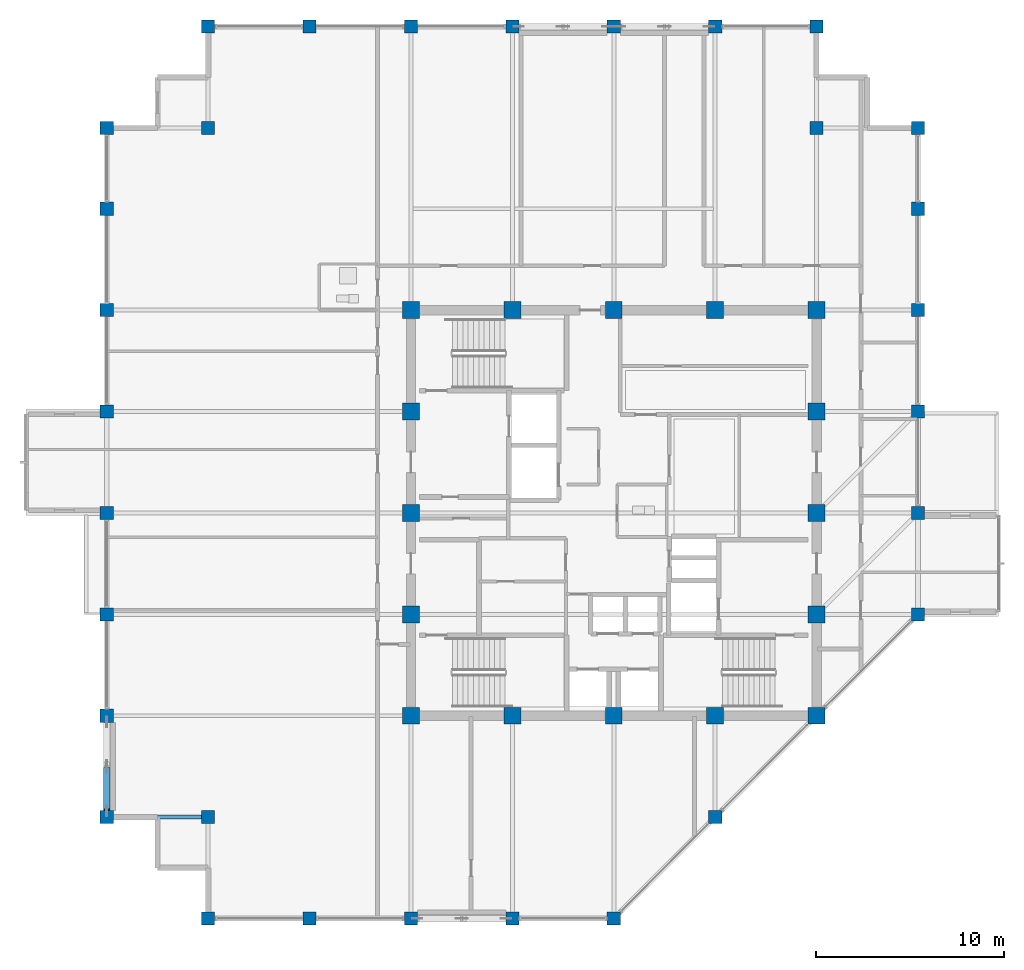
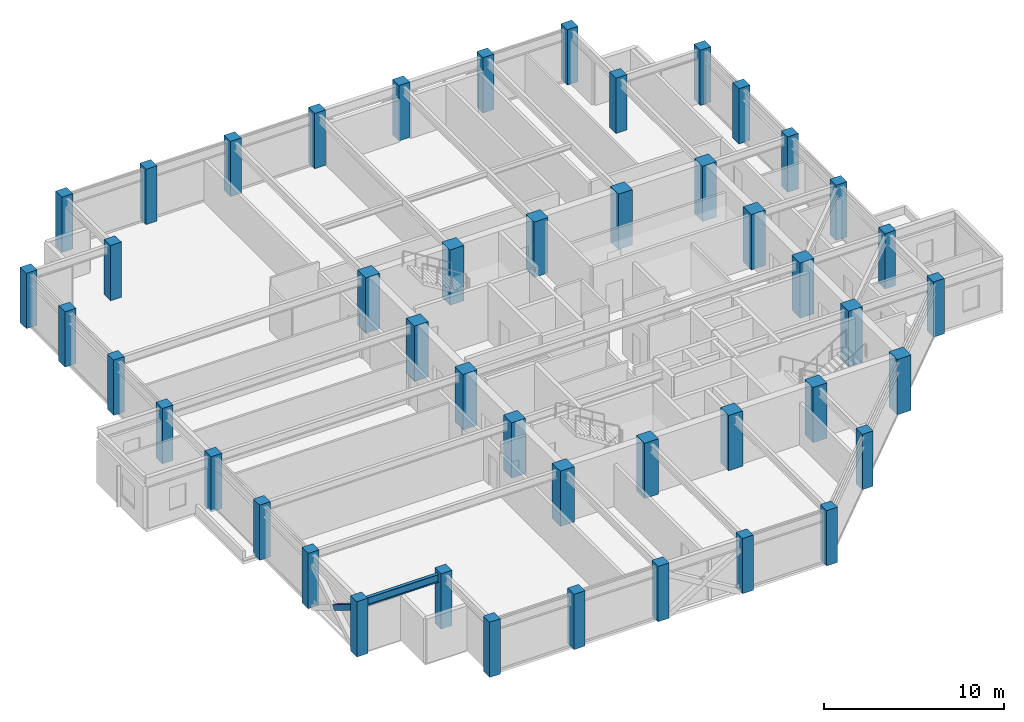
# One storey, part 1 of 31: 46 columns, 1 beam, 1 member.
"""IFC4 building model written with IfcOpenShell, lengths in metres."""

from ifc_helpers import new_model, si_unit, direction, frame, origin, origin_2d, place, context, subcontext, project, spatial, rectangle, hollow_rectangle, i_section, extrude, material, material_profile, profile_set, type_object, element, save


model = new_model("IFC4")

# Units and contexts
model_context = context("Model", 3, precision=1e-05, world=origin(), true_north=direction((0.0, 1.0)))
body_context = subcontext(model_context, "Body", "Model", "MODEL_VIEW")
ifc_project = project(units=[si_unit("LENGTHUNIT", "METRE"), si_unit("AREAUNIT", "SQUARE_METRE"), si_unit("VOLUMEUNIT", "CUBIC_METRE"), si_unit("PLANEANGLEUNIT", "RADIAN"), si_unit("MASSUNIT", "GRAM", prefix="KILO")], contexts=[model_context])

# Site, building, storey
site_placement = place(None, origin())
site = spatial("IfcSite", under=ifc_project, at=site_placement, CompositionType="ELEMENT")
building_placement = place(site_placement, origin())
building = spatial("IfcBuilding", under=site, at=building_placement, Name="Surkhivell Harbour Commons", CompositionType="ELEMENT")
storey_placement = place(building_placement, frame((0.0, 0.0, 315.0)))
storey = spatial("IfcBuildingStorey", under=building, at=storey_placement, Name="L82", CompositionType="ELEMENT", Elevation=315.0)

# Columns
ifc_material_1 = material(Name="Concrete C60/75", Category="concrete")
ifc_material_profile_1 = material_profile(ifc_material_1, rectangle(XDim=0.89990234375, YDim=0.89990234375, at=origin_2d()), Name="RC-COL-900x900")
ifc_profile_set_1 = profile_set([ifc_material_profile_1], Name="Concrete C60/75")
column_type_1 = type_object("IfcColumnType", Name="COL-TUBE-Z3A", PredefinedType="COLUMN", material=ifc_profile_set_1)
for number, where, z_axis, x_axis, name in (
    (1, (-10.800048828125, -10.800048828125, 0.0), (0.0, 0.0, 1.0), (1.0, 0.0, 0.0), "L82 Column CT-3A (-10.8,-10.8)"),
    (2, (-10.800048828125, -5.39990234375, 0.0), (0.0, 0.0, 1.0), (1.0, 0.0, 0.0), "L82 Column CT-3A (-10.8,-5.4)"),
    (3, (-10.800048828125, 0.0, 0.0), (0.0, 0.0, 1.0), (1.0, 0.0, 0.0), "L82 Column CT-3A (-10.8,0.0)"),
    (4, (-10.800048828125, 5.39990234375, 0.0), (0.0, 0.0, 1.0), (1.0, 0.0, 0.0), "L82 Column CT-3A (-10.8,5.4)"),
    (5, (-10.800048828125, 10.800048828125, 0.0), (0.0, 0.0, 1.0), (1.0, 0.0, 0.0), "L82 Column CT-3A (-10.8,10.8)"),
    (6, (-5.39990234375, -10.800048828125, 0.0), (0.0, 0.0, 1.0), (1.0, 0.0, 0.0), "L82 Column CT-3A (-5.4,-10.8)"),
    (7, (-5.39990234375, 10.800048828125, 0.0), (0.0, 0.0, 1.0), (1.0, 0.0, 0.0), "L82 Column CT-3A (-5.4,10.8)"),
    (8, (0.0, -10.800048828125, 0.0), (0.0, 0.0, 1.0), (1.0, 0.0, 0.0), "L82 Column CT-3A (0.0,-10.8)"),
    (9, (0.0, 10.800048828125, 0.0), (0.0, 0.0, 1.0), (1.0, 0.0, 0.0), "L82 Column CT-3A (0.0,10.8)"),
    (10, (5.39990234375, -10.800048828125, 0.0), (0.0, 0.0, 1.0), (1.0, 0.0, 0.0), "L82 Column CT-3A (5.4,-10.8)"),
    (11, (5.39990234375, 10.800048828125, 0.0), (0.0, 0.0, 1.0), (1.0, 0.0, 0.0), "L82 Column CT-3A (5.4,10.8)"),
    (12, (10.800048828125, -10.800048828125, 0.0), (0.0, 0.0, 1.0), (1.0, 0.0, 0.0), "L82 Column CT-3A (10.8,-10.8)"),
    (13, (10.800048828125, -5.39990234375, 0.0), (0.0, 0.0, 1.0), (1.0, 0.0, 0.0), "L82 Column CT-3A (10.8,-5.4)"),
    (14, (10.800048828125, 0.0, 0.0), (0.0, 0.0, 1.0), (1.0, 0.0, 0.0), "L82 Column CT-3A (10.8,0.0)"),
    (15, (10.800048828125, 5.39990234375, 0.0), (0.0, 0.0, 1.0), (1.0, 0.0, 0.0), "L82 Column CT-3A (10.8,5.4)"),
    (16, (10.800048828125, 10.800048828125, 0.0), (0.0, 0.0, 1.0), (1.0, 0.0, 0.0), "L82 Column CT-3A (10.8,10.8)"),
):
    element("IfcColumn", number, at=place(storey_placement, frame(where, z_axis=z_axis, x_axis=x_axis)), inside=storey, type_object=column_type_1, Name=name, PredefinedType="COLUMN", context=body_context, shape_type="SweptSolid", body=[
        extrude(rectangle(XDim=0.89990234375, YDim=0.89990234375, at=origin_2d()), origin(), (0.0, 0.0, 1.0), 3.75),
    ])
ifc_material_2 = material(Name="Concrete C50/60", Category="concrete")
ifc_material_profile_2 = material_profile(ifc_material_2, rectangle(XDim=0.699951171875, YDim=0.699951171875, at=origin_2d()), Name="RC-COL-700x700")
ifc_profile_set_2 = profile_set([ifc_material_profile_2], Name="Concrete C50/60")
column_type_2 = type_object("IfcColumnType", Name="COL-TUBE-Z4", PredefinedType="COLUMN", material=ifc_profile_set_2)
for number, where, z_axis, x_axis, name in (
    (17, (-27.0, -16.199951171875, 0.0), (0.0, 0.0, 1.0), (1.0, 0.0, 0.0), "L82 Column CT-4 (-27.0,-16.2)"),
    (18, (-27.0, -10.800048828125, 0.0), (0.0, 0.0, 1.0), (1.0, 0.0, 0.0), "L82 Column CT-4 (-27.0,-10.8)"),
    (19, (-27.0, -5.39990234375, 0.0), (0.0, 0.0, 1.0), (1.0, 0.0, 0.0), "L82 Column CT-4 (-27.0,-5.4)"),
    (20, (-27.0, 0.0, 0.0), (0.0, 0.0, 1.0), (1.0, 0.0, 0.0), "L82 Column CT-4 (-27.0,0.0)"),
    (21, (-27.0, 5.39990234375, 0.0), (0.0, 0.0, 1.0), (1.0, 0.0, 0.0), "L82 Column CT-4 (-27.0,5.4)"),
    (22, (-27.0, 10.800048828125, 0.0), (0.0, 0.0, 1.0), (1.0, 0.0, 0.0), "L82 Column CT-4 (-27.0,10.8)"),
    (23, (-27.0, 16.199951171875, 0.0), (0.0, 0.0, 1.0), (1.0, 0.0, 0.0), "L82 Column CT-4 (-27.0,16.2)"),
    (24, (-27.0, 20.5, 0.0), (0.0, 0.0, 1.0), (1.0, 0.0, 0.0), "L82 Column CT-4 (-27.0,20.5)"),
    (25, (-21.60009765625, -21.60009765625, 0.0), (0.0, 0.0, 1.0), (1.0, 0.0, 0.0), "L82 Column CT-4 (-21.6,-21.6)"),
    (26, (-21.60009765625, -16.199951171875, 0.0), (0.0, 0.0, 1.0), (1.0, 0.0, 0.0), "L82 Column CT-4 (-21.6,-16.2)"),
    (27, (-21.60009765625, 20.5, 0.0), (0.0, 0.0, 1.0), (1.0, 0.0, 0.0), "L82 Column CT-4 (-21.6,20.5)"),
    (28, (-21.60009765625, 25.89990234375, 0.0), (0.0, 0.0, 1.0), (1.0, 0.0, 0.0), "L82 Column CT-4 (-21.6,25.9)"),
    (29, (-16.199951171875, -21.60009765625, 0.0), (0.0, 0.0, 1.0), (1.0, 0.0, 0.0), "L82 Column CT-4 (-16.2,-21.6)"),
    (30, (-16.199951171875, 25.89990234375, 0.0), (0.0, 0.0, 1.0), (1.0, 0.0, 0.0), "L82 Column CT-4 (-16.2,25.9)"),
    (31, (-10.800048828125, -21.60009765625, 0.0), (0.0, 0.0, 1.0), (1.0, 0.0, 0.0), "L82 Column CT-4 (-10.8,-21.6)"),
    (32, (-10.800048828125, 25.89990234375, 0.0), (0.0, 0.0, 1.0), (1.0, 0.0, 0.0), "L82 Column CT-4 (-10.8,25.9)"),
    (33, (-5.39990234375, -21.60009765625, 0.0), (0.0, 0.0, 1.0), (1.0, 0.0, 0.0), "L82 Column CT-4 (-5.4,-21.6)"),
    (34, (-5.39990234375, 25.89990234375, 0.0), (0.0, 0.0, 1.0), (1.0, 0.0, 0.0), "L82 Column CT-4 (-5.4,25.9)"),
    (35, (0.0, -21.60009765625, 0.0), (0.0, 0.0, 1.0), (1.0, 0.0, 0.0), "L82 Column CT-4 (-0.0,-21.6)"),
    (36, (0.0, 25.89990234375, 0.0), (0.0, 0.0, 1.0), (1.0, 0.0, 0.0), "L82 Column CT-4 (-0.0,25.9)"),
    (37, (5.39990234375, -16.199951171875, 0.0), (0.0, 0.0, 1.0), (1.0, 0.0, 0.0), "L82 Column CT-4 (5.4,-16.2)"),
    (38, (5.39990234375, 25.89990234375, 0.0), (0.0, 0.0, 1.0), (1.0, 0.0, 0.0), "L82 Column CT-4 (5.4,25.9)"),
    (39, (10.800048828125, 20.5, 0.0), (0.0, 0.0, 1.0), (1.0, 0.0, 0.0), "L82 Column CT-4 (10.8,20.5)"),
    (40, (10.800048828125, 25.89990234375, 0.0), (0.0, 0.0, 1.0), (1.0, 0.0, 0.0), "L82 Column CT-4 (10.8,25.9)"),
    (41, (16.199951171875, -5.39990234375, 0.0), (0.0, 0.0, 1.0), (1.0, 0.0, 0.0), "L82 Column CT-4 (16.2,-5.4)"),
    (42, (16.199951171875, 0.0, 0.0), (0.0, 0.0, 1.0), (1.0, 0.0, 0.0), "L82 Column CT-4 (16.2,0.0)"),
    (43, (16.199951171875, 5.39990234375, 0.0), (0.0, 0.0, 1.0), (1.0, 0.0, 0.0), "L82 Column CT-4 (16.2,5.4)"),
    (44, (16.199951171875, 10.800048828125, 0.0), (0.0, 0.0, 1.0), (1.0, 0.0, 0.0), "L82 Column CT-4 (16.2,10.8)"),
    (45, (16.199951171875, 16.199951171875, 0.0), (0.0, 0.0, 1.0), (1.0, 0.0, 0.0), "L82 Column CT-4 (16.2,16.2)"),
    (46, (16.199951171875, 20.5, 0.0), (0.0, 0.0, 1.0), (1.0, 0.0, 0.0), "L82 Column CT-4 (16.2,20.5)"),
):
    element("IfcColumn", number, at=place(storey_placement, frame(where, z_axis=z_axis, x_axis=x_axis)), inside=storey, type_object=column_type_2, Name=name, PredefinedType="COLUMN", context=body_context, shape_type="SweptSolid", body=[
        extrude(rectangle(XDim=0.699951171875, YDim=0.699951171875, at=origin_2d()), origin(), (0.0, 0.0, 1.0), 3.75),
    ])

# Beam
ifc_material_3 = material(Name="Steel S355", Category="steel")
ifc_material_profile_3 = material_profile(ifc_material_3, i_section(OverallWidth=0.2099609375, OverallDepth=0.537109375, WebThickness=0.0107421875, FlangeThickness=0.017333984375, at=origin_2d()), Name="UB533x210x101")
ifc_profile_set_3 = profile_set([ifc_material_profile_3], Name="Steel S355")
beam_type = type_object("IfcBeamType", Name="BM-GRD-533B", PredefinedType="BEAM", material=ifc_profile_set_3)
beam_placement = place(storey_placement, frame((-27.0, -16.199951171875, 3.301513671875), z_axis=(1.0, 0.0, 0.0), x_axis=(0.0, 1.0, 0.0)))
element("IfcBeam", 47, at=beam_placement, inside=storey, type_object=beam_type, Name="L82 Floor Girder (-27.0,-16.2)", PredefinedType="BEAM", context=body_context, shape_type="SweptSolid", body=[
    extrude(i_section(OverallWidth=0.2099609375, OverallDepth=0.537109375, WebThickness=0.0107421875, FlangeThickness=0.017333984375, at=origin_2d()), origin(), (0.0, 0.0, 1.0), 5.39990234375),
])

# Member
ifc_material_profile_4 = material_profile(ifc_material_3, hollow_rectangle(XDim=0.35009765625, YDim=0.35009765625, WallThickness=0.01611328125, at=origin_2d()), Name="SHS350x350x16")
ifc_profile_set_4 = profile_set([ifc_material_profile_4], Name="Steel S355")
member_type = type_object("IfcMemberType", Name="MEM-BRC-SHS350", PredefinedType="BRACE", material=ifc_profile_set_4)
member_placement = place(storey_placement, frame((-27.0, -13.6435546875, 1.53173828125), z_axis=(0.0, -0.854678858595, 0.51915705588), x_axis=(1.0, 0.0, 0.0)))
element("IfcMember", 48, at=member_placement, inside=storey, type_object=member_type, Name="L82 Perimeter Mega-Brace MB- 12", PredefinedType="BRACE", context=body_context, shape_type="SweptSolid", body=[
    extrude(hollow_rectangle(XDim=0.35009765625, YDim=0.35009765625, WallThickness=0.01611328125, at=origin_2d()), origin(), (0.0, 0.0, 1.0), 2.59912109375),
])

save(model, "model.ifc")
